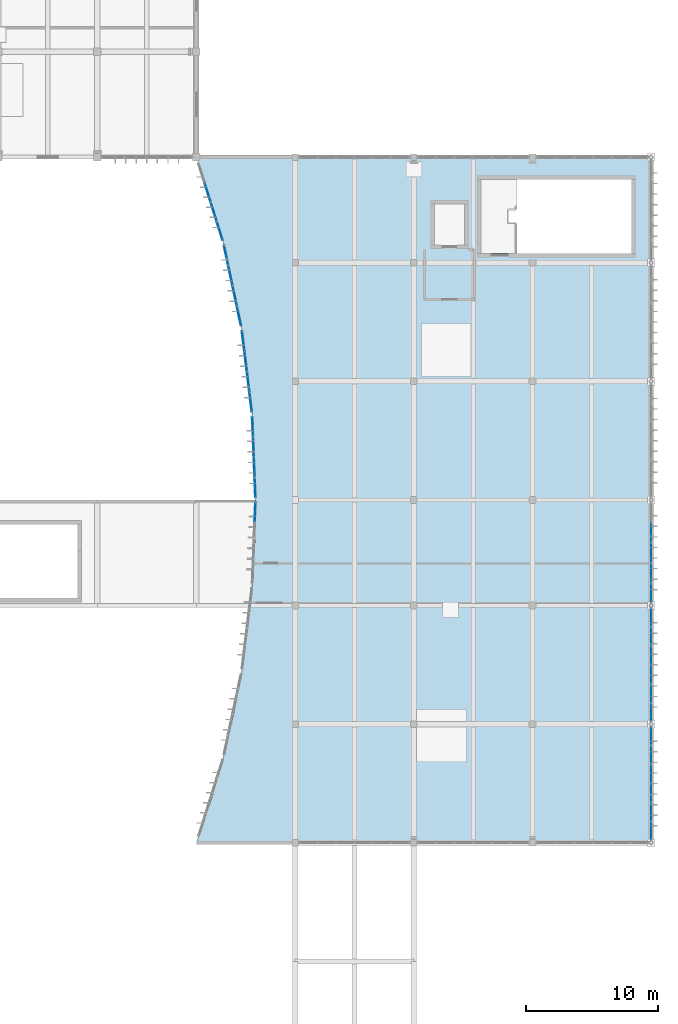
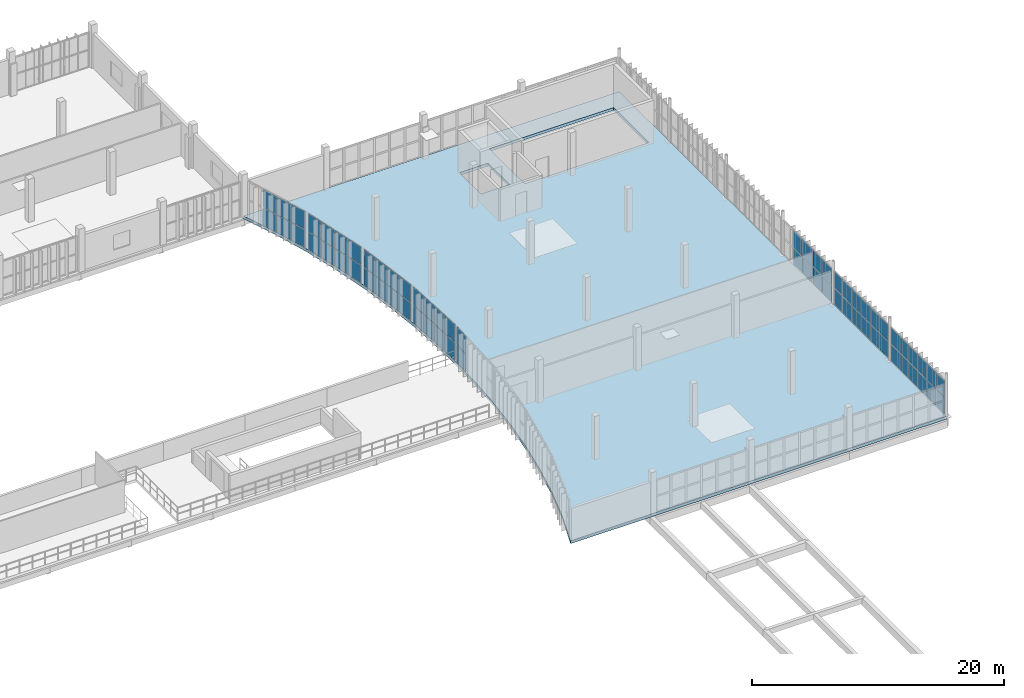
# One storey, part 37 of 61: 64 plates, 1 slab, 8 elements without a shape of their own.
"""IFC4 building model written with IfcOpenShell, lengths in metres."""

from ifc_helpers import new_model, si_unit, direction, frame, origin, origin_2d, place, context, subcontext, project, spatial, polyline, rectangle, outline, extrude, material, layer, layer_set, type_object, element, aggregate, save


model = new_model("IFC4")

# Units and contexts
model_context = context("Model", 3, precision=1e-05, world=origin(), true_north=direction((0.0, 1.0)))
body_context = subcontext(model_context, "Body", "Model", "MODEL_VIEW")
ifc_project = project(units=[si_unit("LENGTHUNIT", "METRE"), si_unit("AREAUNIT", "SQUARE_METRE"), si_unit("VOLUMEUNIT", "CUBIC_METRE"), si_unit("PLANEANGLEUNIT", "RADIAN"), si_unit("MASSUNIT", "GRAM", prefix="KILO")], contexts=[model_context])

# Site, building, storey
site_placement = place(None, origin())
site = spatial("IfcSite", under=ifc_project, at=site_placement, CompositionType="ELEMENT")
building_placement = place(site_placement, origin())
building = spatial("IfcBuilding", under=site, at=building_placement, Name="Vourika Railside Aquatics Centre", CompositionType="ELEMENT")
storey_placement = place(building_placement, frame((0.0, 0.0, 9.300048828125)))
storey = spatial("IfcBuildingStorey", under=building, at=storey_placement, Name="L02", CompositionType="ELEMENT", Elevation=9.300048828125)

# Curtain wall, plates
ifc_material_1 = material(Name="Anodized thermally broken aluminium", Category="aluminium")
curtain_wall_type_1 = type_object("IfcCurtainWallType", Name="CW-FOYC2", PredefinedType="NOTDEFINED", material=ifc_material_1)
curtain_wall_1_placement = place(storey_placement, origin())
curtain_wall_1 = element("IfcCurtainWall", 1, at=curtain_wall_1_placement, inside=storey, type_object=curtain_wall_type_1, Name="Curved Courtyard Foyer Curtain Wall L02-4", PredefinedType="NOTDEFINED")
ifc_material_2 = material(Name="Low-E solar-control laminated double glazing", Category="glass")
ifc_layer_1 = layer(ifc_material_2, 0.02392578125, Name="CWP-FOYC2")
ifc_layer_set_1 = layer_set([ifc_layer_1], Name="Low-E solar-control laminated double glazing")
plate_type_1 = type_object("IfcPlateType", Name="CWP-FOYC2", PredefinedType="CURTAIN_PANEL", material=ifc_layer_set_1)
plate_1_placement = place(storey_placement, frame((137.96826171875, 65.0654296875, 0.06787109375), z_axis=(0.0, 0.0, 1.0), x_axis=(-0.040000115606, -0.999199675116, 0.0)))
plate_1 = element("IfcPlate", 2, at=plate_1_placement, type_object=plate_type_1, Name="CW09 panel 1.1", PredefinedType="CURTAIN_PANEL", context=body_context, shape_type="SweptSolid", body=[
    extrude(rectangle(XDim=1.454345703125, YDim=0.02392578125, at=origin_2d()), origin(), (0.0, 0.0, 1.0), 1.7080078125),
])
plate_2_placement = place(storey_placement, frame((137.96826171875, 65.0654296875, 1.843994140625), z_axis=(0.0, 0.0, 1.0), x_axis=(-0.040000115606, -0.999199675116, 0.0)))
plate_2 = element("IfcPlate", 3, at=plate_2_placement, type_object=plate_type_1, Name="CW09 panel 1.2", PredefinedType="CURTAIN_PANEL", context=body_context, shape_type="SweptSolid", body=[
    extrude(rectangle(XDim=1.454345703125, YDim=0.02392578125, at=origin_2d()), origin(), (0.0, 0.0, 1.0), 1.7080078125),
])
aggregate(curtain_wall_1, [plate_1, plate_2])

curtain_wall_2_placement = place(storey_placement, origin())
curtain_wall_2 = element("IfcCurtainWall", 4, at=curtain_wall_2_placement, inside=storey, type_object=curtain_wall_type_1, Name="Curved Courtyard Foyer Curtain Wall L02-5", PredefinedType="NOTDEFINED")
plate_3_placement = place(storey_placement, frame((137.78271484375, 71.5654296875, 0.06787109375), z_axis=(0.0, 0.0, 1.0), x_axis=(0.040000115606, -0.999199675116, 0.0)))
plate_3 = element("IfcPlate", 5, at=plate_3_placement, type_object=plate_type_1, Name="CW09 panel 1.1", PredefinedType="CURTAIN_PANEL", context=body_context, shape_type="SweptSolid", body=[
    extrude(rectangle(XDim=1.454345703125, YDim=0.02392578125, at=origin_2d()), origin(), (0.0, 0.0, 1.0), 1.7080078125),
])
plate_4_placement = place(storey_placement, frame((137.78271484375, 71.5654296875, 1.843994140625), z_axis=(0.0, 0.0, 1.0), x_axis=(0.040000115606, -0.999199675116, 0.0)))
plate_4 = element("IfcPlate", 6, at=plate_4_placement, type_object=plate_type_1, Name="CW09 panel 1.2", PredefinedType="CURTAIN_PANEL", context=body_context, shape_type="SweptSolid", body=[
    extrude(rectangle(XDim=1.454345703125, YDim=0.02392578125, at=origin_2d()), origin(), (0.0, 0.0, 1.0), 1.7080078125),
])
plate_5_placement = place(storey_placement, frame((137.844482421875, 70.027587890625, 0.06787109375), z_axis=(0.0, 0.0, 1.0), x_axis=(0.040000115606, -0.999199675116, 0.0)))
plate_5 = element("IfcPlate", 7, at=plate_5_placement, type_object=plate_type_1, Name="CW09 panel 2.1", PredefinedType="CURTAIN_PANEL", context=body_context, shape_type="SweptSolid", body=[
    extrude(rectangle(XDim=1.48828125, YDim=0.02392578125, at=origin_2d()), origin(), (0.0, 0.0, 1.0), 1.7080078125),
])
plate_6_placement = place(storey_placement, frame((137.844482421875, 70.027587890625, 1.843994140625), z_axis=(0.0, 0.0, 1.0), x_axis=(0.040000115606, -0.999199675116, 0.0)))
plate_6 = element("IfcPlate", 8, at=plate_6_placement, type_object=plate_type_1, Name="CW09 panel 2.2", PredefinedType="CURTAIN_PANEL", context=body_context, shape_type="SweptSolid", body=[
    extrude(rectangle(XDim=1.48828125, YDim=0.02392578125, at=origin_2d()), origin(), (0.0, 0.0, 1.0), 1.7080078125),
])
plate_7_placement = place(storey_placement, frame((137.90673828125, 68.472412109375, 0.06787109375), z_axis=(0.0, 0.0, 1.0), x_axis=(0.040000115606, -0.999199675116, 0.0)))
plate_7 = element("IfcPlate", 9, at=plate_7_placement, type_object=plate_type_1, Name="CW09 panel 3.1", PredefinedType="CURTAIN_PANEL", context=body_context, shape_type="SweptSolid", body=[
    extrude(rectangle(XDim=1.48828125, YDim=0.02392578125, at=origin_2d()), origin(), (0.0, 0.0, 1.0), 1.7080078125),
])
plate_8_placement = place(storey_placement, frame((137.90673828125, 68.472412109375, 1.843994140625), z_axis=(0.0, 0.0, 1.0), x_axis=(0.040000115606, -0.999199675116, 0.0)))
plate_8 = element("IfcPlate", 10, at=plate_8_placement, type_object=plate_type_1, Name="CW09 panel 3.2", PredefinedType="CURTAIN_PANEL", context=body_context, shape_type="SweptSolid", body=[
    extrude(rectangle(XDim=1.48828125, YDim=0.02392578125, at=origin_2d()), origin(), (0.0, 0.0, 1.0), 1.7080078125),
])
plate_9_placement = place(storey_placement, frame((137.96826171875, 66.9345703125, 0.06787109375), z_axis=(0.0, 0.0, 1.0), x_axis=(0.040000115606, -0.999199675116, 0.0)))
plate_9 = element("IfcPlate", 11, at=plate_9_placement, type_object=plate_type_1, Name="CW09 panel 4.1", PredefinedType="CURTAIN_PANEL", context=body_context, shape_type="SweptSolid", body=[
    extrude(rectangle(XDim=1.454345703125, YDim=0.02392578125, at=origin_2d()), origin(), (0.0, 0.0, 1.0), 1.7080078125),
])
plate_10_placement = place(storey_placement, frame((137.96826171875, 66.9345703125, 1.843994140625), z_axis=(0.0, 0.0, 1.0), x_axis=(0.040000115606, -0.999199675116, 0.0)))
plate_10 = element("IfcPlate", 12, at=plate_10_placement, type_object=plate_type_1, Name="CW09 panel 4.2", PredefinedType="CURTAIN_PANEL", context=body_context, shape_type="SweptSolid", body=[
    extrude(rectangle(XDim=1.454345703125, YDim=0.02392578125, at=origin_2d()), origin(), (0.0, 0.0, 1.0), 1.7080078125),
])
aggregate(curtain_wall_2, [plate_3, plate_4, plate_5, plate_6, plate_7, plate_8, plate_9, plate_10])

curtain_wall_3_placement = place(storey_placement, origin())
curtain_wall_3 = element("IfcCurtainWall", 13, at=curtain_wall_3_placement, inside=storey, type_object=curtain_wall_type_1, Name="Curved Courtyard Foyer Curtain Wall L02-6", PredefinedType="NOTDEFINED")
plate_11_placement = place(storey_placement, frame((137.065185546875, 78.065673828125, 0.06787109375), z_axis=(0.0, 0.0, 1.0), x_axis=(0.121441721361, -0.992598563525, 0.0)))
plate_11 = element("IfcPlate", 14, at=plate_11_placement, type_object=plate_type_1, Name="CW09 panel 1.1", PredefinedType="CURTAIN_PANEL", context=body_context, shape_type="SweptSolid", body=[
    extrude(rectangle(XDim=1.464599609375, YDim=0.02392578125, at=origin_2d()), origin(), (0.0, 0.0, 1.0), 1.7080078125),
])
plate_12_placement = place(storey_placement, frame((137.065185546875, 78.065673828125, 1.843994140625), z_axis=(0.0, 0.0, 1.0), x_axis=(0.121441721361, -0.992598563525, 0.0)))
plate_12 = element("IfcPlate", 15, at=plate_12_placement, type_object=plate_type_1, Name="CW09 panel 1.2", PredefinedType="CURTAIN_PANEL", context=body_context, shape_type="SweptSolid", body=[
    extrude(rectangle(XDim=1.464599609375, YDim=0.02392578125, at=origin_2d()), origin(), (0.0, 0.0, 1.0), 1.7080078125),
])
plate_13_placement = place(storey_placement, frame((137.25341796875, 76.527587890625, 0.06787109375), z_axis=(0.0, 0.0, 1.0), x_axis=(0.121441721361, -0.992598563525, 0.0)))
plate_13 = element("IfcPlate", 16, at=plate_13_placement, type_object=plate_type_1, Name="CW09 panel 2.1", PredefinedType="CURTAIN_PANEL", context=body_context, shape_type="SweptSolid", body=[
    extrude(rectangle(XDim=1.49853515625, YDim=0.02392578125, at=origin_2d()), origin(), (0.0, 0.0, 1.0), 1.7080078125),
])
plate_14_placement = place(storey_placement, frame((137.25341796875, 76.527587890625, 1.843994140625), z_axis=(0.0, 0.0, 1.0), x_axis=(0.121441721361, -0.992598563525, 0.0)))
plate_14 = element("IfcPlate", 17, at=plate_14_placement, type_object=plate_type_1, Name="CW09 panel 2.2", PredefinedType="CURTAIN_PANEL", context=body_context, shape_type="SweptSolid", body=[
    extrude(rectangle(XDim=1.49853515625, YDim=0.02392578125, at=origin_2d()), origin(), (0.0, 0.0, 1.0), 1.7080078125),
])
plate_15_placement = place(storey_placement, frame((137.443603515625, 74.972412109375, 0.06787109375), z_axis=(0.0, 0.0, 1.0), x_axis=(0.121441721361, -0.992598563525, 0.0)))
plate_15 = element("IfcPlate", 18, at=plate_15_placement, type_object=plate_type_1, Name="CW09 panel 3.1", PredefinedType="CURTAIN_PANEL", context=body_context, shape_type="SweptSolid", body=[
    extrude(rectangle(XDim=1.49853515625, YDim=0.02392578125, at=origin_2d()), origin(), (0.0, 0.0, 1.0), 1.7080078125),
])
plate_16_placement = place(storey_placement, frame((137.443603515625, 74.972412109375, 1.843994140625), z_axis=(0.0, 0.0, 1.0), x_axis=(0.121441721361, -0.992598563525, 0.0)))
plate_16 = element("IfcPlate", 19, at=plate_16_placement, type_object=plate_type_1, Name="CW09 panel 3.2", PredefinedType="CURTAIN_PANEL", context=body_context, shape_type="SweptSolid", body=[
    extrude(rectangle(XDim=1.49853515625, YDim=0.02392578125, at=origin_2d()), origin(), (0.0, 0.0, 1.0), 1.7080078125),
])
plate_17_placement = place(storey_placement, frame((137.6318359375, 73.434326171875, 0.06787109375), z_axis=(0.0, 0.0, 1.0), x_axis=(0.121441721361, -0.992598563525, 0.0)))
plate_17 = element("IfcPlate", 20, at=plate_17_placement, type_object=plate_type_1, Name="CW09 panel 4.1", PredefinedType="CURTAIN_PANEL", context=body_context, shape_type="SweptSolid", body=[
    extrude(rectangle(XDim=1.464599609375, YDim=0.02392578125, at=origin_2d()), origin(), (0.0, 0.0, 1.0), 1.7080078125),
])
plate_18_placement = place(storey_placement, frame((137.6318359375, 73.434326171875, 1.843994140625), z_axis=(0.0, 0.0, 1.0), x_axis=(0.121441721361, -0.992598563525, 0.0)))
plate_18 = element("IfcPlate", 21, at=plate_18_placement, type_object=plate_type_1, Name="CW09 panel 4.2", PredefinedType="CURTAIN_PANEL", context=body_context, shape_type="SweptSolid", body=[
    extrude(rectangle(XDim=1.464599609375, YDim=0.02392578125, at=origin_2d()), origin(), (0.0, 0.0, 1.0), 1.7080078125),
])
aggregate(curtain_wall_3, [plate_11, plate_12, plate_13, plate_14, plate_15, plate_16, plate_17, plate_18])

curtain_wall_4_placement = place(storey_placement, origin())
curtain_wall_4 = element("IfcCurtainWall", 22, at=curtain_wall_4_placement, inside=storey, type_object=curtain_wall_type_1, Name="Curved Courtyard Foyer Curtain Wall L02-7", PredefinedType="NOTDEFINED")
plate_19_placement = place(storey_placement, frame((135.7705078125, 84.56591796875, 0.06787109375), z_axis=(0.0, 0.0, 1.0), x_axis=(0.207595418094, -0.978214773139, 0.0)))
plate_19 = element("IfcPlate", 23, at=plate_19_placement, type_object=plate_type_1, Name="CW09 panel 1.1", PredefinedType="CURTAIN_PANEL", context=body_context, shape_type="SweptSolid", body=[
    extrude(rectangle(XDim=1.487548828125, YDim=0.02392578125, at=origin_2d()), origin(), (0.0, 0.0, 1.0), 1.7080078125),
])
plate_20_placement = place(storey_placement, frame((135.7705078125, 84.56591796875, 1.843994140625), z_axis=(0.0, 0.0, 1.0), x_axis=(0.207595418094, -0.978214773139, 0.0)))
plate_20 = element("IfcPlate", 24, at=plate_20_placement, type_object=plate_type_1, Name="CW09 panel 1.2", PredefinedType="CURTAIN_PANEL", context=body_context, shape_type="SweptSolid", body=[
    extrude(rectangle(XDim=1.487548828125, YDim=0.02392578125, at=origin_2d()), origin(), (0.0, 0.0, 1.0), 1.7080078125),
])
plate_21_placement = place(storey_placement, frame((136.096923828125, 83.027587890625, 0.06787109375), z_axis=(0.0, 0.0, 1.0), x_axis=(0.207595418094, -0.978214773139, 0.0)))
plate_21 = element("IfcPlate", 25, at=plate_21_placement, type_object=plate_type_1, Name="CW09 panel 2.1", PredefinedType="CURTAIN_PANEL", context=body_context, shape_type="SweptSolid", body=[
    extrude(rectangle(XDim=1.521728515625, YDim=0.02392578125, at=origin_2d()), origin(), (0.0, 0.0, 1.0), 1.7080078125),
])
plate_22_placement = place(storey_placement, frame((136.096923828125, 83.027587890625, 1.843994140625), z_axis=(0.0, 0.0, 1.0), x_axis=(0.207595418094, -0.978214773139, 0.0)))
plate_22 = element("IfcPlate", 26, at=plate_22_placement, type_object=plate_type_1, Name="CW09 panel 2.2", PredefinedType="CURTAIN_PANEL", context=body_context, shape_type="SweptSolid", body=[
    extrude(rectangle(XDim=1.521728515625, YDim=0.02392578125, at=origin_2d()), origin(), (0.0, 0.0, 1.0), 1.7080078125),
])
plate_23_placement = place(storey_placement, frame((136.427001953125, 81.472412109375, 0.06787109375), z_axis=(0.0, 0.0, 1.0), x_axis=(0.207595418094, -0.978214773139, 0.0)))
plate_23 = element("IfcPlate", 27, at=plate_23_placement, type_object=plate_type_1, Name="CW09 panel 3.1", PredefinedType="CURTAIN_PANEL", context=body_context, shape_type="SweptSolid", body=[
    extrude(rectangle(XDim=1.521728515625, YDim=0.02392578125, at=origin_2d()), origin(), (0.0, 0.0, 1.0), 1.7080078125),
])
plate_24_placement = place(storey_placement, frame((136.427001953125, 81.472412109375, 1.843994140625), z_axis=(0.0, 0.0, 1.0), x_axis=(0.207595418094, -0.978214773139, 0.0)))
plate_24 = element("IfcPlate", 28, at=plate_24_placement, type_object=plate_type_1, Name="CW09 panel 3.2", PredefinedType="CURTAIN_PANEL", context=body_context, shape_type="SweptSolid", body=[
    extrude(rectangle(XDim=1.521728515625, YDim=0.02392578125, at=origin_2d()), origin(), (0.0, 0.0, 1.0), 1.7080078125),
])
plate_25_placement = place(storey_placement, frame((136.75341796875, 79.93408203125, 0.06787109375), z_axis=(0.0, 0.0, 1.0), x_axis=(0.207595418094, -0.978214773139, 0.0)))
plate_25 = element("IfcPlate", 29, at=plate_25_placement, type_object=plate_type_1, Name="CW09 panel 4.1", PredefinedType="CURTAIN_PANEL", context=body_context, shape_type="SweptSolid", body=[
    extrude(rectangle(XDim=1.487548828125, YDim=0.02392578125, at=origin_2d()), origin(), (0.0, 0.0, 1.0), 1.7080078125),
])
plate_26_placement = place(storey_placement, frame((136.75341796875, 79.93408203125, 1.843994140625), z_axis=(0.0, 0.0, 1.0), x_axis=(0.207595418094, -0.978214773139, 0.0)))
plate_26 = element("IfcPlate", 30, at=plate_26_placement, type_object=plate_type_1, Name="CW09 panel 4.2", PredefinedType="CURTAIN_PANEL", context=body_context, shape_type="SweptSolid", body=[
    extrude(rectangle(XDim=1.487548828125, YDim=0.02392578125, at=origin_2d()), origin(), (0.0, 0.0, 1.0), 1.7080078125),
])
aggregate(curtain_wall_4, [plate_19, plate_20, plate_21, plate_22, plate_23, plate_24, plate_25, plate_26])

curtain_wall_5_placement = place(storey_placement, origin())
curtain_wall_5 = element("IfcCurtainWall", 31, at=curtain_wall_5_placement, inside=storey, type_object=curtain_wall_type_1, Name="Curved Courtyard Foyer Curtain Wall L02-8", PredefinedType="NOTDEFINED")
plate_27_placement = place(storey_placement, frame((134.373291015625, 89.31494140625, 0.06787109375), z_axis=(0.0, 0.0, 1.0), x_axis=(0.29997424472, -0.953947300696, 0.0)))
plate_27 = element("IfcPlate", 32, at=plate_27_placement, type_object=plate_type_1, Name="CW09 panel 2.1", PredefinedType="CURTAIN_PANEL", context=body_context, shape_type="SweptSolid", body=[
    extrude(rectangle(XDim=1.472900390625, YDim=0.02392578125, at=origin_2d()), origin(), (0.0, 0.0, 1.0), 1.7080078125),
])
plate_28_placement = place(storey_placement, frame((134.373291015625, 89.31494140625, 1.843994140625), z_axis=(0.0, 0.0, 1.0), x_axis=(0.29997424472, -0.953947300696, 0.0)))
plate_28 = element("IfcPlate", 33, at=plate_28_placement, type_object=plate_type_1, Name="CW09 panel 2.2", PredefinedType="CURTAIN_PANEL", context=body_context, shape_type="SweptSolid", body=[
    extrude(rectangle(XDim=1.472900390625, YDim=0.02392578125, at=origin_2d()), origin(), (0.0, 0.0, 1.0), 1.7080078125),
])
plate_29_placement = place(storey_placement, frame((134.835693359375, 87.844970703125, 0.06787109375), z_axis=(0.0, 0.0, 1.0), x_axis=(0.29997424472, -0.953947300696, 0.0)))
plate_29 = element("IfcPlate", 34, at=plate_29_placement, type_object=plate_type_1, Name="CW09 panel 3.1", PredefinedType="CURTAIN_PANEL", context=body_context, shape_type="SweptSolid", body=[
    extrude(rectangle(XDim=1.472900390625, YDim=0.02392578125, at=origin_2d()), origin(), (0.0, 0.0, 1.0), 1.7080078125),
])
plate_30_placement = place(storey_placement, frame((134.835693359375, 87.844970703125, 1.843994140625), z_axis=(0.0, 0.0, 1.0), x_axis=(0.29997424472, -0.953947300696, 0.0)))
plate_30 = element("IfcPlate", 35, at=plate_30_placement, type_object=plate_type_1, Name="CW09 panel 3.2", PredefinedType="CURTAIN_PANEL", context=body_context, shape_type="SweptSolid", body=[
    extrude(rectangle(XDim=1.472900390625, YDim=0.02392578125, at=origin_2d()), origin(), (0.0, 0.0, 1.0), 1.7080078125),
])
plate_31_placement = place(storey_placement, frame((135.292724609375, 86.39111328125, 0.06787109375), z_axis=(0.0, 0.0, 1.0), x_axis=(0.29997424472, -0.953947300696, 0.0)))
plate_31 = element("IfcPlate", 36, at=plate_31_placement, type_object=plate_type_1, Name="CW09 panel 4.1", PredefinedType="CURTAIN_PANEL", context=body_context, shape_type="SweptSolid", body=[
    extrude(rectangle(XDim=1.43896484375, YDim=0.02392578125, at=origin_2d()), origin(), (0.0, 0.0, 1.0), 1.7080078125),
])
plate_32_placement = place(storey_placement, frame((135.292724609375, 86.39111328125, 1.843994140625), z_axis=(0.0, 0.0, 1.0), x_axis=(0.29997424472, -0.953947300696, 0.0)))
plate_32 = element("IfcPlate", 37, at=plate_32_placement, type_object=plate_type_1, Name="CW09 panel 4.2", PredefinedType="CURTAIN_PANEL", context=body_context, shape_type="SweptSolid", body=[
    extrude(rectangle(XDim=1.43896484375, YDim=0.02392578125, at=origin_2d()), origin(), (0.0, 0.0, 1.0), 1.7080078125),
])
aggregate(curtain_wall_5, [plate_27, plate_28, plate_29, plate_30, plate_31, plate_32])

curtain_wall_type_2 = type_object("IfcCurtainWallType", Name="CW-FOYE", PredefinedType="NOTDEFINED", material=ifc_material_1)
curtain_wall_6_placement = place(storey_placement, origin())
curtain_wall_6 = element("IfcCurtainWall", 38, at=curtain_wall_6_placement, inside=storey, type_object=curtain_wall_type_2, Name="East Arrival Facade Curtain Wall L02-1", PredefinedType="NOTDEFINED")
ifc_layer_2 = layer(ifc_material_2, 0.031982421875, Name="CWP-FOYE")
ifc_layer_set_2 = layer_set([ifc_layer_2], Name="Low-E solar-control laminated double glazing")
plate_type_2 = type_object("IfcPlateType", Name="CWP-FOYE", PredefinedType="CURTAIN_PANEL", material=ifc_layer_set_2)
plate_33_placement = place(storey_placement, frame((168.0, 40.907470703125, 0.07470703125), z_axis=(0.0, 0.0, 1.0), x_axis=(0.0, 1.0, 0.0)))
plate_33 = element("IfcPlate", 39, at=plate_33_placement, type_object=plate_type_2, Name="CW10 panel 1.1", PredefinedType="CURTAIN_PANEL", context=body_context, shape_type="SweptSolid", body=[
    extrude(rectangle(XDim=1.33203125, YDim=0.031982421875, at=origin_2d()), origin(), (0.0, 0.0, 1.0), 1.572509765625),
])
plate_34_placement = place(storey_placement, frame((168.0, 40.907470703125, 1.72265625), z_axis=(0.0, 0.0, 1.0), x_axis=(0.0, 1.0, 0.0)))
plate_34 = element("IfcPlate", 40, at=plate_34_placement, type_object=plate_type_2, Name="CW10 panel 1.2", PredefinedType="CURTAIN_PANEL", context=body_context, shape_type="SweptSolid", body=[
    extrude(rectangle(XDim=1.33203125, YDim=0.031982421875, at=origin_2d()), origin(), (0.0, 0.0, 1.0), 1.572509765625),
])
plate_35_placement = place(storey_placement, frame((168.0, 42.333251953125, 0.07470703125), z_axis=(0.0, 0.0, 1.0), x_axis=(0.0, 1.0, 0.0)))
plate_35 = element("IfcPlate", 41, at=plate_35_placement, type_object=plate_type_2, Name="CW10 panel 2.1", PredefinedType="CURTAIN_PANEL", context=body_context, shape_type="SweptSolid", body=[
    extrude(rectangle(XDim=1.369384765625, YDim=0.031982421875, at=origin_2d()), origin(), (0.0, 0.0, 1.0), 1.572509765625),
])
plate_36_placement = place(storey_placement, frame((168.0, 42.333251953125, 1.72265625), z_axis=(0.0, 0.0, 1.0), x_axis=(0.0, 1.0, 0.0)))
plate_36 = element("IfcPlate", 42, at=plate_36_placement, type_object=plate_type_2, Name="CW10 panel 2.2", PredefinedType="CURTAIN_PANEL", context=body_context, shape_type="SweptSolid", body=[
    extrude(rectangle(XDim=1.369384765625, YDim=0.031982421875, at=origin_2d()), origin(), (0.0, 0.0, 1.0), 1.572509765625),
])
plate_37_placement = place(storey_placement, frame((168.0, 43.77783203125, 0.07470703125), z_axis=(0.0, 0.0, 1.0), x_axis=(0.0, 1.0, 0.0)))
plate_37 = element("IfcPlate", 43, at=plate_37_placement, type_object=plate_type_2, Name="CW10 panel 3.1", PredefinedType="CURTAIN_PANEL", context=body_context, shape_type="SweptSolid", body=[
    extrude(rectangle(XDim=1.369384765625, YDim=0.031982421875, at=origin_2d()), origin(), (0.0, 0.0, 1.0), 1.572509765625),
])
plate_38_placement = place(storey_placement, frame((168.0, 43.77783203125, 1.72265625), z_axis=(0.0, 0.0, 1.0), x_axis=(0.0, 1.0, 0.0)))
plate_38 = element("IfcPlate", 44, at=plate_38_placement, type_object=plate_type_2, Name="CW10 panel 3.2", PredefinedType="CURTAIN_PANEL", context=body_context, shape_type="SweptSolid", body=[
    extrude(rectangle(XDim=1.369384765625, YDim=0.031982421875, at=origin_2d()), origin(), (0.0, 0.0, 1.0), 1.572509765625),
])
plate_39_placement = place(storey_placement, frame((168.0, 45.22216796875, 0.07470703125), z_axis=(0.0, 0.0, 1.0), x_axis=(0.0, 1.0, 0.0)))
plate_39 = element("IfcPlate", 45, at=plate_39_placement, type_object=plate_type_2, Name="CW10 panel 4.1", PredefinedType="CURTAIN_PANEL", context=body_context, shape_type="SweptSolid", body=[
    extrude(rectangle(XDim=1.369384765625, YDim=0.031982421875, at=origin_2d()), origin(), (0.0, 0.0, 1.0), 1.572509765625),
])
plate_40_placement = place(storey_placement, frame((168.0, 45.22216796875, 1.72265625), z_axis=(0.0, 0.0, 1.0), x_axis=(0.0, 1.0, 0.0)))
plate_40 = element("IfcPlate", 46, at=plate_40_placement, type_object=plate_type_2, Name="CW10 panel 4.2", PredefinedType="CURTAIN_PANEL", context=body_context, shape_type="SweptSolid", body=[
    extrude(rectangle(XDim=1.369384765625, YDim=0.031982421875, at=origin_2d()), origin(), (0.0, 0.0, 1.0), 1.572509765625),
])
plate_41_placement = place(storey_placement, frame((168.0, 46.666748046875, 0.07470703125), z_axis=(0.0, 0.0, 1.0), x_axis=(0.0, 1.0, 0.0)))
plate_41 = element("IfcPlate", 47, at=plate_41_placement, type_object=plate_type_2, Name="CW10 panel 5.1", PredefinedType="CURTAIN_PANEL", context=body_context, shape_type="SweptSolid", body=[
    extrude(rectangle(XDim=1.369384765625, YDim=0.031982421875, at=origin_2d()), origin(), (0.0, 0.0, 1.0), 1.572509765625),
])
plate_42_placement = place(storey_placement, frame((168.0, 46.666748046875, 1.72265625), z_axis=(0.0, 0.0, 1.0), x_axis=(0.0, 1.0, 0.0)))
plate_42 = element("IfcPlate", 48, at=plate_42_placement, type_object=plate_type_2, Name="CW10 panel 5.2", PredefinedType="CURTAIN_PANEL", context=body_context, shape_type="SweptSolid", body=[
    extrude(rectangle(XDim=1.369384765625, YDim=0.031982421875, at=origin_2d()), origin(), (0.0, 0.0, 1.0), 1.572509765625),
])
plate_43_placement = place(storey_placement, frame((168.0, 48.092529296875, 0.07470703125), z_axis=(0.0, 0.0, 1.0), x_axis=(0.0, 1.0, 0.0)))
plate_43 = element("IfcPlate", 49, at=plate_43_placement, type_object=plate_type_2, Name="CW10 panel 6.1", PredefinedType="CURTAIN_PANEL", context=body_context, shape_type="SweptSolid", body=[
    extrude(rectangle(XDim=1.33203125, YDim=0.031982421875, at=origin_2d()), origin(), (0.0, 0.0, 1.0), 1.572509765625),
])
plate_44_placement = place(storey_placement, frame((168.0, 48.092529296875, 1.72265625), z_axis=(0.0, 0.0, 1.0), x_axis=(0.0, 1.0, 0.0)))
plate_44 = element("IfcPlate", 50, at=plate_44_placement, type_object=plate_type_2, Name="CW10 panel 6.2", PredefinedType="CURTAIN_PANEL", context=body_context, shape_type="SweptSolid", body=[
    extrude(rectangle(XDim=1.33203125, YDim=0.031982421875, at=origin_2d()), origin(), (0.0, 0.0, 1.0), 1.572509765625),
])
aggregate(curtain_wall_6, [plate_33, plate_34, plate_35, plate_36, plate_37, plate_38, plate_39, plate_40, plate_41, plate_42, plate_43, plate_44])

curtain_wall_7_placement = place(storey_placement, origin())
curtain_wall_7 = element("IfcCurtainWall", 51, at=curtain_wall_7_placement, inside=storey, type_object=curtain_wall_type_2, Name="East Arrival Facade Curtain Wall L02-2", PredefinedType="NOTDEFINED")
plate_45_placement = place(storey_placement, frame((168.0, 49.907470703125, 0.07470703125), z_axis=(0.0, 0.0, 1.0), x_axis=(0.0, 1.0, 0.0)))
plate_45 = element("IfcPlate", 52, at=plate_45_placement, type_object=plate_type_2, Name="CW10 panel 1.1", PredefinedType="CURTAIN_PANEL", context=body_context, shape_type="SweptSolid", body=[
    extrude(rectangle(XDim=1.33203125, YDim=0.031982421875, at=origin_2d()), origin(), (0.0, 0.0, 1.0), 1.572509765625),
])
plate_46_placement = place(storey_placement, frame((168.0, 49.907470703125, 1.72265625), z_axis=(0.0, 0.0, 1.0), x_axis=(0.0, 1.0, 0.0)))
plate_46 = element("IfcPlate", 53, at=plate_46_placement, type_object=plate_type_2, Name="CW10 panel 1.2", PredefinedType="CURTAIN_PANEL", context=body_context, shape_type="SweptSolid", body=[
    extrude(rectangle(XDim=1.33203125, YDim=0.031982421875, at=origin_2d()), origin(), (0.0, 0.0, 1.0), 1.572509765625),
])
plate_47_placement = place(storey_placement, frame((168.0, 51.333251953125, 0.07470703125), z_axis=(0.0, 0.0, 1.0), x_axis=(0.0, 1.0, 0.0)))
plate_47 = element("IfcPlate", 54, at=plate_47_placement, type_object=plate_type_2, Name="CW10 panel 2.1", PredefinedType="CURTAIN_PANEL", context=body_context, shape_type="SweptSolid", body=[
    extrude(rectangle(XDim=1.369384765625, YDim=0.031982421875, at=origin_2d()), origin(), (0.0, 0.0, 1.0), 1.572509765625),
])
plate_48_placement = place(storey_placement, frame((168.0, 51.333251953125, 1.72265625), z_axis=(0.0, 0.0, 1.0), x_axis=(0.0, 1.0, 0.0)))
plate_48 = element("IfcPlate", 55, at=plate_48_placement, type_object=plate_type_2, Name="CW10 panel 2.2", PredefinedType="CURTAIN_PANEL", context=body_context, shape_type="SweptSolid", body=[
    extrude(rectangle(XDim=1.369384765625, YDim=0.031982421875, at=origin_2d()), origin(), (0.0, 0.0, 1.0), 1.572509765625),
])
plate_49_placement = place(storey_placement, frame((168.0, 52.77783203125, 0.07470703125), z_axis=(0.0, 0.0, 1.0), x_axis=(0.0, 1.0, 0.0)))
plate_49 = element("IfcPlate", 56, at=plate_49_placement, type_object=plate_type_2, Name="CW10 panel 3.1", PredefinedType="CURTAIN_PANEL", context=body_context, shape_type="SweptSolid", body=[
    extrude(rectangle(XDim=1.369384765625, YDim=0.031982421875, at=origin_2d()), origin(), (0.0, 0.0, 1.0), 1.572509765625),
])
plate_50_placement = place(storey_placement, frame((168.0, 52.77783203125, 1.72265625), z_axis=(0.0, 0.0, 1.0), x_axis=(0.0, 1.0, 0.0)))
plate_50 = element("IfcPlate", 57, at=plate_50_placement, type_object=plate_type_2, Name="CW10 panel 3.2", PredefinedType="CURTAIN_PANEL", context=body_context, shape_type="SweptSolid", body=[
    extrude(rectangle(XDim=1.369384765625, YDim=0.031982421875, at=origin_2d()), origin(), (0.0, 0.0, 1.0), 1.572509765625),
])
plate_51_placement = place(storey_placement, frame((168.0, 54.22216796875, 0.07470703125), z_axis=(0.0, 0.0, 1.0), x_axis=(0.0, 1.0, 0.0)))
plate_51 = element("IfcPlate", 58, at=plate_51_placement, type_object=plate_type_2, Name="CW10 panel 4.1", PredefinedType="CURTAIN_PANEL", context=body_context, shape_type="SweptSolid", body=[
    extrude(rectangle(XDim=1.369384765625, YDim=0.031982421875, at=origin_2d()), origin(), (0.0, 0.0, 1.0), 1.572509765625),
])
plate_52_placement = place(storey_placement, frame((168.0, 54.22216796875, 1.72265625), z_axis=(0.0, 0.0, 1.0), x_axis=(0.0, 1.0, 0.0)))
plate_52 = element("IfcPlate", 59, at=plate_52_placement, type_object=plate_type_2, Name="CW10 panel 4.2", PredefinedType="CURTAIN_PANEL", context=body_context, shape_type="SweptSolid", body=[
    extrude(rectangle(XDim=1.369384765625, YDim=0.031982421875, at=origin_2d()), origin(), (0.0, 0.0, 1.0), 1.572509765625),
])
plate_53_placement = place(storey_placement, frame((168.0, 55.666748046875, 0.07470703125), z_axis=(0.0, 0.0, 1.0), x_axis=(0.0, 1.0, 0.0)))
plate_53 = element("IfcPlate", 60, at=plate_53_placement, type_object=plate_type_2, Name="CW10 panel 5.1", PredefinedType="CURTAIN_PANEL", context=body_context, shape_type="SweptSolid", body=[
    extrude(rectangle(XDim=1.369384765625, YDim=0.031982421875, at=origin_2d()), origin(), (0.0, 0.0, 1.0), 1.572509765625),
])
plate_54_placement = place(storey_placement, frame((168.0, 55.666748046875, 1.72265625), z_axis=(0.0, 0.0, 1.0), x_axis=(0.0, 1.0, 0.0)))
plate_54 = element("IfcPlate", 61, at=plate_54_placement, type_object=plate_type_2, Name="CW10 panel 5.2", PredefinedType="CURTAIN_PANEL", context=body_context, shape_type="SweptSolid", body=[
    extrude(rectangle(XDim=1.369384765625, YDim=0.031982421875, at=origin_2d()), origin(), (0.0, 0.0, 1.0), 1.572509765625),
])
plate_55_placement = place(storey_placement, frame((168.0, 57.092529296875, 0.07470703125), z_axis=(0.0, 0.0, 1.0), x_axis=(0.0, 1.0, 0.0)))
plate_55 = element("IfcPlate", 62, at=plate_55_placement, type_object=plate_type_2, Name="CW10 panel 6.1", PredefinedType="CURTAIN_PANEL", context=body_context, shape_type="SweptSolid", body=[
    extrude(rectangle(XDim=1.33203125, YDim=0.031982421875, at=origin_2d()), origin(), (0.0, 0.0, 1.0), 1.572509765625),
])
plate_56_placement = place(storey_placement, frame((168.0, 57.092529296875, 1.72265625), z_axis=(0.0, 0.0, 1.0), x_axis=(0.0, 1.0, 0.0)))
plate_56 = element("IfcPlate", 63, at=plate_56_placement, type_object=plate_type_2, Name="CW10 panel 6.2", PredefinedType="CURTAIN_PANEL", context=body_context, shape_type="SweptSolid", body=[
    extrude(rectangle(XDim=1.33203125, YDim=0.031982421875, at=origin_2d()), origin(), (0.0, 0.0, 1.0), 1.572509765625),
])
aggregate(curtain_wall_7, [plate_45, plate_46, plate_47, plate_48, plate_49, plate_50, plate_51, plate_52, plate_53, plate_54, plate_55, plate_56])

curtain_wall_8_placement = place(storey_placement, origin())
curtain_wall_8 = element("IfcCurtainWall", 64, at=curtain_wall_8_placement, inside=storey, type_object=curtain_wall_type_2, Name="East Arrival Facade Curtain Wall L02-3", PredefinedType="NOTDEFINED")
plate_57_placement = place(storey_placement, frame((168.0, 58.951904296875, 0.07470703125), z_axis=(0.0, 0.0, 1.0), x_axis=(0.0, 1.0, 0.0)))
plate_57 = element("IfcPlate", 65, at=plate_57_placement, type_object=plate_type_2, Name="CW10 panel 1.1", PredefinedType="CURTAIN_PANEL", context=body_context, shape_type="SweptSolid", body=[
    extrude(rectangle(XDim=1.4208984375, YDim=0.031982421875, at=origin_2d()), origin(), (0.0, 0.0, 1.0), 1.572509765625),
])
plate_58_placement = place(storey_placement, frame((168.0, 58.951904296875, 1.72265625), z_axis=(0.0, 0.0, 1.0), x_axis=(0.0, 1.0, 0.0)))
plate_58 = element("IfcPlate", 66, at=plate_58_placement, type_object=plate_type_2, Name="CW10 panel 1.2", PredefinedType="CURTAIN_PANEL", context=body_context, shape_type="SweptSolid", body=[
    extrude(rectangle(XDim=1.4208984375, YDim=0.031982421875, at=origin_2d()), origin(), (0.0, 0.0, 1.0), 1.572509765625),
])
plate_59_placement = place(storey_placement, frame((168.0, 60.466552734375, 0.07470703125), z_axis=(0.0, 0.0, 1.0), x_axis=(0.0, 1.0, 0.0)))
plate_59 = element("IfcPlate", 67, at=plate_59_placement, type_object=plate_type_2, Name="CW10 panel 2.1", PredefinedType="CURTAIN_PANEL", context=body_context, shape_type="SweptSolid", body=[
    extrude(rectangle(XDim=1.45849609375, YDim=0.031982421875, at=origin_2d()), origin(), (0.0, 0.0, 1.0), 1.572509765625),
])
plate_60_placement = place(storey_placement, frame((168.0, 60.466552734375, 1.72265625), z_axis=(0.0, 0.0, 1.0), x_axis=(0.0, 1.0, 0.0)))
plate_60 = element("IfcPlate", 68, at=plate_60_placement, type_object=plate_type_2, Name="CW10 panel 2.2", PredefinedType="CURTAIN_PANEL", context=body_context, shape_type="SweptSolid", body=[
    extrude(rectangle(XDim=1.45849609375, YDim=0.031982421875, at=origin_2d()), origin(), (0.0, 0.0, 1.0), 1.572509765625),
])
plate_61_placement = place(storey_placement, frame((168.0, 62.0, 0.07470703125), z_axis=(0.0, 0.0, 1.0), x_axis=(0.0, 1.0, 0.0)))
plate_61 = element("IfcPlate", 69, at=plate_61_placement, type_object=plate_type_2, Name="CW10 panel 3.1", PredefinedType="CURTAIN_PANEL", context=body_context, shape_type="SweptSolid", body=[
    extrude(rectangle(XDim=1.45849609375, YDim=0.031982421875, at=origin_2d()), origin(), (0.0, 0.0, 1.0), 1.572509765625),
])
plate_62_placement = place(storey_placement, frame((168.0, 62.0, 1.72265625), z_axis=(0.0, 0.0, 1.0), x_axis=(0.0, 1.0, 0.0)))
plate_62 = element("IfcPlate", 70, at=plate_62_placement, type_object=plate_type_2, Name="CW10 panel 3.2", PredefinedType="CURTAIN_PANEL", context=body_context, shape_type="SweptSolid", body=[
    extrude(rectangle(XDim=1.45849609375, YDim=0.031982421875, at=origin_2d()), origin(), (0.0, 0.0, 1.0), 1.572509765625),
])
plate_63_placement = place(storey_placement, frame((168.0, 63.533447265625, 0.07470703125), z_axis=(0.0, 0.0, 1.0), x_axis=(0.0, 1.0, 0.0)))
plate_63 = element("IfcPlate", 71, at=plate_63_placement, type_object=plate_type_2, Name="CW10 panel 4.1", PredefinedType="CURTAIN_PANEL", context=body_context, shape_type="SweptSolid", body=[
    extrude(rectangle(XDim=1.45849609375, YDim=0.031982421875, at=origin_2d()), origin(), (0.0, 0.0, 1.0), 1.572509765625),
])
plate_64_placement = place(storey_placement, frame((168.0, 63.533447265625, 1.72265625), z_axis=(0.0, 0.0, 1.0), x_axis=(0.0, 1.0, 0.0)))
plate_64 = element("IfcPlate", 72, at=plate_64_placement, type_object=plate_type_2, Name="CW10 panel 4.2", PredefinedType="CURTAIN_PANEL", context=body_context, shape_type="SweptSolid", body=[
    extrude(rectangle(XDim=1.45849609375, YDim=0.031982421875, at=origin_2d()), origin(), (0.0, 0.0, 1.0), 1.572509765625),
])
aggregate(curtain_wall_8, [plate_57, plate_58, plate_59, plate_60, plate_61, plate_62, plate_63, plate_64])

# Slab
ifc_material_3 = material(Name="Concrete C35/45", Category="concrete")
ifc_layer_3 = layer(ifc_material_3, 0.280029296875, Name="SLB-FLOOR-280")
ifc_layer_set_3 = layer_set([ifc_layer_3], Name="Concrete C35/45")
slab_type = type_object("IfcSlabType", Name="SLB-FLOOR-280", PredefinedType="FLOOR", material=ifc_layer_set_3)
slab_placement = place(storey_placement, frame((0.0, 0.0, -0.280029296875)))
element("IfcSlab", 73, at=slab_placement, inside=storey, type_object=slab_type, Name="L02 Floor Slab (v3_media)", PredefinedType="FLOOR", context=body_context, shape_type="SweptSolid", body=[
    extrude(outline(polyline([(134.6279296875, 43.25), (135.56591796875, 46.5), (136.3330078125, 49.75), (136.945068359375, 53.0), (137.410888671875, 56.25), (137.739990234375, 59.5), (137.93505859375, 62.75), (138.0, 66.0), (137.93505859375, 69.25), (137.739990234375, 72.5), (137.410888671875, 75.75), (136.945068359375, 79.0), (136.3330078125, 82.25), (135.56591796875, 85.5), (134.6279296875, 88.75), (133.5, 92.0), (168.0, 92.0), (168.0, 40.0), (133.5, 40.0), (134.6279296875, 43.25)]), holes=[polyline([(151.39990234375, 88.60009765625), (151.39990234375, 85.199951171875), (154.0, 85.199951171875), (154.0, 88.60009765625), (151.39990234375, 88.60009765625)]), polyline([(166.5, 90.300048828125), (155.10009765625, 90.300048828125), (155.10009765625, 84.699951171875), (166.5, 84.699951171875), (166.5, 90.300048828125)])]), origin(), (0.0, 0.0, 1.0), 0.280029296875),
])

save(model, "model.ifc")
